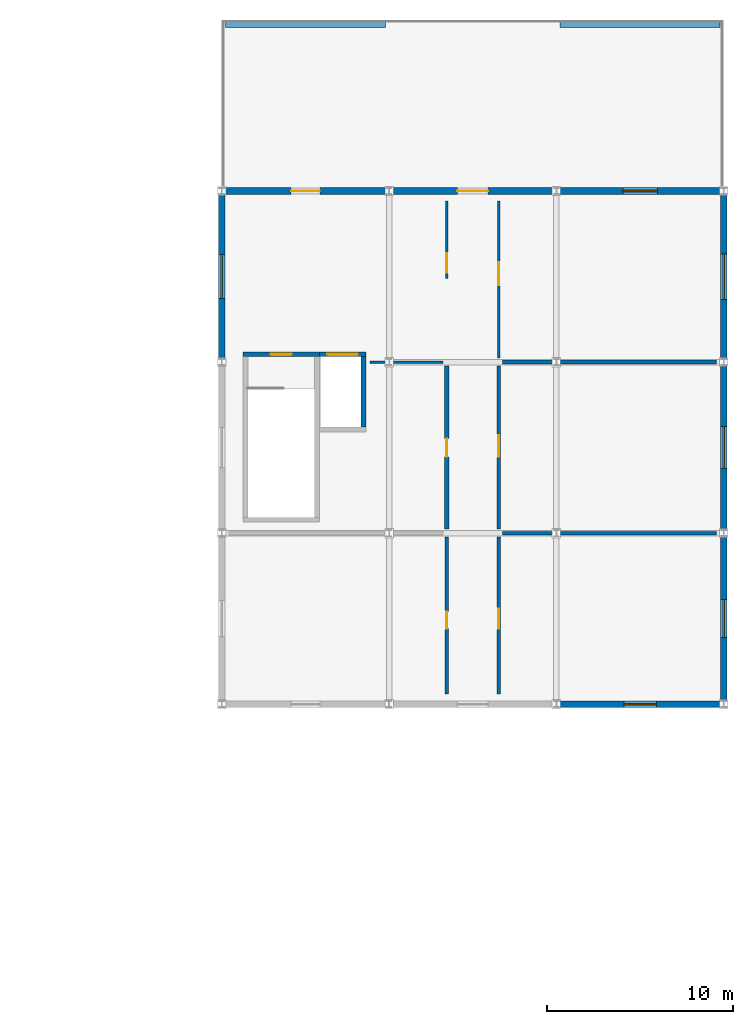
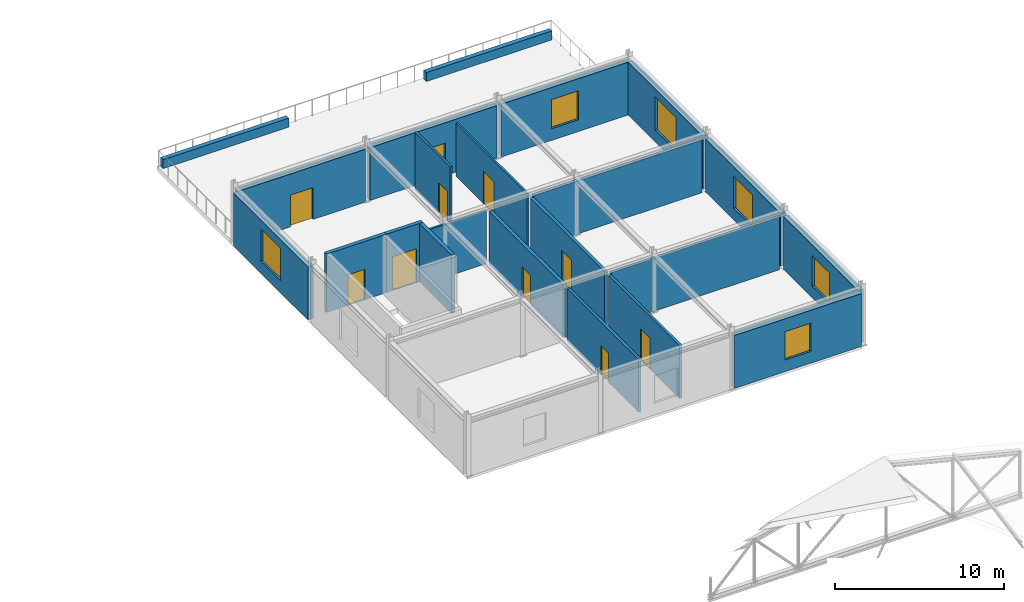
# One storey, part 30 of 33: 22 walls, 10 doors, 6 windows, 16 openings.
"""IFC4 building model written with IfcOpenShell, lengths in metres."""

from ifc_helpers import new_model, si_unit, direction, frame, frame_2d, origin, place, context, subcontext, project, spatial, rectangle, extrude, material, layer, layer_set, type_object, element, fill, save


model = new_model("IFC4")

# Units and contexts
model_context = context("Model", 3, precision=1e-05, world=origin(), true_north=direction((0.0, 1.0)))
body_context = subcontext(model_context, "Body", "Model", "MODEL_VIEW")
ifc_project = project(units=[si_unit("LENGTHUNIT", "METRE"), si_unit("AREAUNIT", "SQUARE_METRE"), si_unit("VOLUMEUNIT", "CUBIC_METRE"), si_unit("PLANEANGLEUNIT", "RADIAN"), si_unit("MASSUNIT", "GRAM", prefix="KILO")], contexts=[model_context])

# Site, building, storey
site_placement = place(None, origin())
site = spatial("IfcSite", under=ifc_project, at=site_placement, CompositionType="ELEMENT")
building_placement = place(site_placement, origin())
building = spatial("IfcBuilding", under=site, at=building_placement, Name="Bozkorgan Art Gallery", CompositionType="ELEMENT")
storey_placement = place(building_placement, frame((0.0, 0.0, 19.5)))
storey = spatial("IfcBuildingStorey", under=building, at=storey_placement, Name="L04", CompositionType="ELEMENT", Elevation=19.5)

# Wall, opening, door
ifc_material_1 = material(Name="Concrete C40/50", Category="concrete")
ifc_layer_1 = layer(ifc_material_1, 0.25, Name="Concrete C40/50")
ifc_layer_set_1 = layer_set([ifc_layer_1], Name="Concrete C40/50")
wall_type_1 = type_object("IfcWallType", Name="IWALL-CW-51", PredefinedType="SHEAR", material=ifc_layer_set_1)
wall_1_placement = place(storey_placement, frame((138.14990234375, 84.824951171875, 0.0), z_axis=(0.0, 0.0, 1.0), x_axis=(1.0, 0.0, 0.0)))
wall_1 = element("IfcWall", 1, at=wall_1_placement, inside=storey, type_object=wall_type_1, Name="CORE3 L04 stair core north shear wall", PredefinedType="SHEAR", context=body_context, shape_type="SweptSolid", body=[
    extrude(rectangle(XDim=4.10009765625, YDim=0.25, at=frame_2d((2.050048828125, 0.0))), origin(), (0.0, 0.0, 1.0), 4.219970703125),
])
opening_1_placement = place(wall_1_placement, frame((2.625, 0.0, 0.0), z_axis=(0.0, 0.0, 1.0), x_axis=(-1.0, 0.0, 0.0)))
opening_1 = element("IfcOpeningElement", 2, at=opening_1_placement, cuts=wall_1, Name="Opening SD-41", PredefinedType="OPENING", context=body_context, shape_type="SweptSolid", body=[
    extrude(rectangle(XDim=1.14990234375, YDim=2.199951171875, at=frame_2d((0.574951171875, 1.10009765625))), frame((0.0, 0.135009765625, 0.0), z_axis=(0.0, -1.0, 0.0), x_axis=(1.0, 0.0, 0.0)), (0.0, 0.0, 1.0), 0.27001953125),
])
ifc_material_2 = material(Name="Steel S355J2", Category="steel")
door_type_1 = type_object("IfcDoorType", Name="IDOOR-SD-41", OperationType="NOTDEFINED", PredefinedType="DOOR", material=ifc_material_2)
door_1_placement = place(opening_1_placement, origin())
door_1 = element("IfcDoor", 3, at=door_1_placement, inside=storey, type_object=door_type_1, Name="ST3 L04 Fire Stair Door", OperationType="SINGLE_SWING_RIGHT", OverallHeight=2.199951171875, OverallWidth=1.14990234375, PredefinedType="DOOR", context=body_context, shape_type="SweptSolid", body=[
    extrude(rectangle(XDim=1.14990234375, YDim=2.199951171875, at=frame_2d((0.574951171875, 1.10009765625))), frame((0.0, 0.02490234375, 0.0), z_axis=(0.0, -1.0, 0.0), x_axis=(1.0, 0.0, 0.0)), (0.0, 0.0, 1.0), 0.050048828125),
])
fill(opening_1, door_1)

wall_2_placement = place(storey_placement, frame((142.25, 84.824951171875, 0.0), z_axis=(0.0, 0.0, 1.0), x_axis=(1.0, 0.0, 0.0)))
wall_2 = element("IfcWall", 4, at=wall_2_placement, inside=storey, type_object=wall_type_1, Name="GL1 L04 shaft front shear wall", PredefinedType="SHEAR", context=body_context, shape_type="SweptSolid", body=[
    extrude(rectangle(XDim=2.5, YDim=0.25, at=frame_2d((1.25, 0.0))), origin(), (0.0, 0.0, 1.0), 4.219970703125),
])
opening_2_placement = place(wall_2_placement, frame((0.425048828125, 0.0, 0.0)))
opening_2 = element("IfcOpeningElement", 5, at=opening_2_placement, cuts=wall_2, Name="Opening LD-87", PredefinedType="OPENING", context=body_context, shape_type="SweptSolid", body=[
    extrude(rectangle(XDim=1.64990234375, YDim=2.449951171875, at=frame_2d((0.824951171875, 1.22509765625))), frame((0.0, 0.135009765625, 0.0), z_axis=(0.0, -1.0, 0.0), x_axis=(1.0, 0.0, 0.0)), (0.0, 0.0, 1.0), 0.27001953125),
])
door_type_2 = type_object("IfcDoorType", Name="IDOOR-LD-87", OperationType="NOTDEFINED", PredefinedType="DOOR", material=ifc_material_2)
door_2_placement = place(opening_2_placement, origin())
door_2 = element("IfcDoor", 6, at=door_2_placement, inside=storey, type_object=door_type_2, Name="LD-GL1-L04 Lift Landing Door", OperationType="SLIDING_TO_LEFT", OverallHeight=2.449951171875, OverallWidth=1.64990234375, PredefinedType="DOOR", context=body_context, shape_type="SweptSolid", body=[
    extrude(rectangle(XDim=1.64990234375, YDim=2.449951171875, at=frame_2d((0.824951171875, 1.22509765625))), frame((0.0, 0.02490234375, 0.0), z_axis=(0.0, -1.0, 0.0), x_axis=(1.0, 0.0, 0.0)), (0.0, 0.0, 1.0), 0.050048828125),
])
fill(opening_2, door_2)

# Wall
wall_3_placement = place(storey_placement, frame((144.625, 80.89990234375, 0.0), z_axis=(0.0, 0.0, 1.0), x_axis=(0.0, 1.0, 0.0)))
element("IfcWall", 7, at=wall_3_placement, inside=storey, type_object=wall_type_1, Name="GL1 L04 shaft E shear wall", PredefinedType="SHEAR", context=body_context, shape_type="SweptSolid", body=[
    extrude(rectangle(XDim=3.800048828125, YDim=0.25, at=frame_2d((1.89990234375, 0.0))), origin(), (0.0, 0.0, 1.0), 4.219970703125),
])

# Wall, opening, door
ifc_material_3 = material(Name="Acoustic Gypsum & Mineral Wool Partition")
ifc_layer_2 = layer(ifc_material_3, 0.22998046875, Name="Acoustic Gypsum & Mineral Wool Partition")
ifc_layer_set_2 = layer_set([ifc_layer_2], Name="Acoustic Gypsum & Mineral Wool Partition")
wall_type_2 = type_object("IfcWallType", Name="IWALL-PR-08", PredefinedType="PARTITIONING", material=ifc_layer_set_2)
wall_4_placement = place(storey_placement, frame((149.10009765625, 75.419921875, 0.0), z_axis=(0.0, 0.0, 1.0), x_axis=(0.0, 1.0, 0.0)))
wall_4 = element("IfcWall", 8, at=wall_4_placement, inside=storey, type_object=wall_type_2, Name="V5 L04 acoustic partition wall 341", PredefinedType="PARTITIONING", context=body_context, shape_type="SweptSolid", body=[
    extrude(rectangle(XDim=8.760009765625, YDim=0.22998046875, at=frame_2d((4.3798828125, 0.0))), origin(), (0.0, 0.0, 1.0), 3.824951171875),
])
opening_3_placement = place(wall_4_placement, frame((4.85986328125, 0.0, 0.0), z_axis=(0.0, 0.0, 1.0), x_axis=(-1.0, 0.0, 0.0)))
opening_3 = element("IfcOpeningElement", 9, at=opening_3_placement, cuts=wall_4, Name="Opening FD-75", PredefinedType="OPENING", context=body_context, shape_type="SweptSolid", body=[
    extrude(rectangle(XDim=0.97998046875, YDim=2.179931640625, at=frame_2d((0.489990234375, 1.08984375))), frame((0.0, 0.125, 0.0), z_axis=(0.0, -1.0, 0.0), x_axis=(1.0, 0.0, 0.0)), (0.0, 0.0, 1.0), 0.25),
])
ifc_material_4 = material(Name="Oiled European Oak Joinery")
door_type_3 = type_object("IfcDoorType", Name="IDOOR-FD-75", OperationType="NOTDEFINED", PredefinedType="DOOR", material=ifc_material_4)
door_3_placement = place(opening_3_placement, origin())
door_3 = element("IfcDoor", 10, at=door_3_placement, inside=storey, type_object=door_type_3, Name="Stone Metal Restoration Lab Door", OperationType="SINGLE_SWING_RIGHT", OverallHeight=2.179931640625, OverallWidth=0.97998046875, PredefinedType="DOOR", context=body_context, shape_type="SweptSolid", body=[
    extrude(rectangle(XDim=0.97998046875, YDim=2.179931640625, at=frame_2d((0.489990234375, 1.08984375))), frame((0.0, 0.02490234375, 0.0), z_axis=(0.0, -1.0, 0.0), x_axis=(1.0, 0.0, 0.0)), (0.0, 0.0, 1.0), 0.050048828125),
])
fill(opening_3, door_3)

ifc_layer_3 = layer(ifc_material_3, 0.2099609375, Name="Acoustic Gypsum & Mineral Wool Partition")
ifc_layer_set_3 = layer_set([ifc_layer_3], Name="Acoustic Gypsum & Mineral Wool Partition")
wall_type_3 = type_object("IfcWallType", Name="IWALL-PR-38", PredefinedType="PARTITIONING", material=ifc_layer_set_3)
wall_5_placement = place(storey_placement, frame((151.89990234375, 75.419921875, 0.0), z_axis=(0.0, 0.0, 1.0), x_axis=(0.0, 1.0, 0.0)))
wall_5 = element("IfcWall", 11, at=wall_5_placement, inside=storey, type_object=wall_type_3, Name="V5 L04 acoustic partition wall 346", PredefinedType="PARTITIONING", context=body_context, shape_type="SweptSolid", body=[
    extrude(rectangle(XDim=8.760009765625, YDim=0.2099609375, at=frame_2d((4.3798828125, 0.0))), origin(), (0.0, 0.0, 1.0), 3.824951171875),
])
opening_4_placement = place(wall_5_placement, frame((3.8798828125, 0.0, 0.0)))
opening_4 = element("IfcOpeningElement", 12, at=opening_4_placement, cuts=wall_5, Name="Opening FD-03", PredefinedType="OPENING", context=body_context, shape_type="SweptSolid", body=[
    extrude(rectangle(XDim=1.159912109375, YDim=2.280029296875, at=frame_2d((0.580078125, 1.14013671875))), frame((0.0, 0.114990234375, 0.0), z_axis=(0.0, -1.0, 0.0), x_axis=(1.0, 0.0, 0.0)), (0.0, 0.0, 1.0), 0.22998046875),
])
door_type_4 = type_object("IfcDoorType", Name="IDOOR-FD-03", OperationType="NOTDEFINED", PredefinedType="DOOR", material=ifc_material_4)
door_4_placement = place(opening_4_placement, origin())
door_4 = element("IfcDoor", 13, at=door_4_placement, inside=storey, type_object=door_type_4, Name="Collection Archive Room Door", OperationType="SINGLE_SWING_LEFT", OverallHeight=2.280029296875, OverallWidth=1.159912109375, PredefinedType="DOOR", context=body_context, shape_type="SweptSolid", body=[
    extrude(rectangle(XDim=1.159912109375, YDim=2.280029296875, at=frame_2d((0.580078125, 1.14013671875))), frame((0.0, 0.02490234375, 0.0), z_axis=(0.0, -1.0, 0.0), x_axis=(1.0, 0.0, 0.0)), (0.0, 0.0, 1.0), 0.050048828125),
])
fill(opening_4, door_4)

ifc_layer_4 = layer(ifc_material_3, 0.169921875, Name="Acoustic Gypsum & Mineral Wool Partition")
ifc_layer_set_4 = layer_set([ifc_layer_4], Name="Acoustic Gypsum & Mineral Wool Partition")
wall_type_4 = type_object("IfcWallType", Name="IWALL-PR-40", PredefinedType="PARTITIONING", material=ifc_layer_set_4)
wall_6_placement = place(storey_placement, frame((151.89990234375, 66.5400390625, 0.0), z_axis=(0.0, 0.0, 1.0), x_axis=(0.0, 1.0, 0.0)))
wall_6 = element("IfcWall", 14, at=wall_6_placement, inside=storey, type_object=wall_type_4, Name="V5 L04 acoustic partition wall 344", PredefinedType="PARTITIONING", context=body_context, shape_type="SweptSolid", body=[
    extrude(rectangle(XDim=8.43994140625, YDim=0.169921875, at=frame_2d((4.219970703125, 0.0))), origin(), (0.0, 0.0, 1.0), 3.824951171875),
])
opening_5_placement = place(wall_6_placement, frame((3.518798828125, 0.0, 0.0)))
opening_5 = element("IfcOpeningElement", 15, at=opening_5_placement, cuts=wall_6, Name="Opening FD-44", PredefinedType="OPENING", context=body_context, shape_type="SweptSolid", body=[
    extrude(rectangle(XDim=1.080078125, YDim=2.239990234375, at=frame_2d((0.5400390625, 1.1201171875))), frame((0.0, 0.094970703125, 0.0), z_axis=(0.0, -1.0, 0.0), x_axis=(1.0, 0.0, 0.0)), (0.0, 0.0, 1.0), 0.18994140625),
])
door_type_5 = type_object("IfcDoorType", Name="IDOOR-FD-44", OperationType="NOTDEFINED", PredefinedType="DOOR", material=ifc_material_4)
door_5_placement = place(opening_5_placement, origin())
door_5 = element("IfcDoor", 16, at=door_5_placement, inside=storey, type_object=door_type_5, Name="Museum AHU Plantroom Door", OperationType="SINGLE_SWING_RIGHT", OverallHeight=2.239990234375, OverallWidth=1.080078125, PredefinedType="DOOR", context=body_context, shape_type="SweptSolid", body=[
    extrude(rectangle(XDim=1.080078125, YDim=2.239990234375, at=frame_2d((0.5400390625, 1.1201171875))), frame((0.0, 0.02490234375, 0.0), z_axis=(0.0, -1.0, 0.0), x_axis=(1.0, 0.0, 0.0)), (0.0, 0.0, 1.0), 0.050048828125),
])
fill(opening_5, door_5)

ifc_layer_5 = layer(ifc_material_3, 0.14990234375, Name="Acoustic Gypsum & Mineral Wool Partition")
ifc_layer_set_5 = layer_set([ifc_layer_5], Name="Acoustic Gypsum & Mineral Wool Partition")
wall_type_5 = type_object("IfcWallType", Name="IWALL-PR-55", PredefinedType="PARTITIONING", material=ifc_layer_set_5)
wall_7_placement = place(storey_placement, frame((149.10009765625, 88.89990234375, 0.0), z_axis=(0.0, 0.0, 1.0), x_axis=(0.0, 1.0, 0.0)))
wall_7 = element("IfcWall", 17, at=wall_7_placement, inside=storey, type_object=wall_type_5, Name="V5 L04 acoustic partition wall 343", PredefinedType="PARTITIONING", context=body_context, shape_type="SweptSolid", body=[
    extrude(rectangle(XDim=4.16015625, YDim=0.14990234375, at=frame_2d((2.080078125, 0.0))), origin(), (0.0, 0.0, 1.0), 4.179931640625),
])
opening_6_placement = place(wall_7_placement, frame((1.340087890625, 0.0, 0.0), z_axis=(0.0, 0.0, 1.0), x_axis=(-1.0, 0.0, 0.0)))
opening_6 = element("IfcOpeningElement", 18, at=opening_6_placement, cuts=wall_7, Name="Opening FD-96", PredefinedType="OPENING", context=body_context, shape_type="SweptSolid", body=[
    extrude(rectangle(XDim=1.0400390625, YDim=2.219970703125, at=frame_2d((0.52001953125, 1.10986328125))), frame((0.0, 0.0849609375, 0.0), z_axis=(0.0, -1.0, 0.0), x_axis=(1.0, 0.0, 0.0)), (0.0, 0.0, 1.0), 0.169921875),
])
door_type_6 = type_object("IfcDoorType", Name="IDOOR-FD-96", OperationType="NOTDEFINED", PredefinedType="DOOR", material=ifc_material_4)
door_6_placement = place(opening_6_placement, origin())
door_6 = element("IfcDoor", 19, at=door_6_placement, inside=storey, type_object=door_type_6, Name="Mount Making Workshop Door", OperationType="SINGLE_SWING_LEFT", OverallHeight=2.219970703125, OverallWidth=1.0400390625, PredefinedType="DOOR", context=body_context, shape_type="SweptSolid", body=[
    extrude(rectangle(XDim=1.0400390625, YDim=2.219970703125, at=frame_2d((0.52001953125, 1.10986328125))), frame((0.0, 0.02490234375, 0.0), z_axis=(0.0, -1.0, 0.0), x_axis=(1.0, 0.0, 0.0)), (0.0, 0.0, 1.0), 0.050048828125),
])
fill(opening_6, door_6)

ifc_layer_6 = layer(ifc_material_3, 0.18994140625, Name="Acoustic Gypsum & Mineral Wool Partition")
ifc_layer_set_6 = layer_set([ifc_layer_6], Name="Acoustic Gypsum & Mineral Wool Partition")
wall_type_6 = type_object("IfcWallType", Name="IWALL-PR-66", PredefinedType="PARTITIONING", material=ifc_layer_set_6)
wall_8_placement = place(storey_placement, frame((149.10009765625, 66.5400390625, 0.0), z_axis=(0.0, 0.0, 1.0), x_axis=(0.0, 1.0, 0.0)))
wall_8 = element("IfcWall", 20, at=wall_8_placement, inside=storey, type_object=wall_type_6, Name="V5 L04 acoustic partition wall 339", PredefinedType="PARTITIONING", context=body_context, shape_type="SweptSolid", body=[
    extrude(rectangle(XDim=8.43994140625, YDim=0.18994140625, at=frame_2d((4.219970703125, 0.0))), origin(), (0.0, 0.0, 1.0), 3.824951171875),
])
opening_7_placement = place(wall_8_placement, frame((4.438720703125, 0.0, 0.0), z_axis=(0.0, 0.0, 1.0), x_axis=(-1.0, 0.0, 0.0)))
opening_7 = element("IfcOpeningElement", 21, at=opening_7_placement, cuts=wall_8, Name="Opening FD-12", PredefinedType="OPENING", context=body_context, shape_type="SweptSolid", body=[
    extrude(rectangle(XDim=0.919921875, YDim=2.1201171875, at=frame_2d((0.4599609375, 1.06005859375))), frame((0.0, 0.10498046875, 0.0), z_axis=(0.0, -1.0, 0.0), x_axis=(1.0, 0.0, 0.0)), (0.0, 0.0, 1.0), 0.2099609375),
])
door_type_7 = type_object("IfcDoorType", Name="IDOOR-FD-12", OperationType="NOTDEFINED", PredefinedType="DOOR", material=ifc_material_4)
door_7_placement = place(opening_7_placement, origin())
door_7 = element("IfcDoor", 22, at=door_7_placement, inside=storey, type_object=door_type_7, Name="Textile Conservation Studio Door", OperationType="SINGLE_SWING_LEFT", OverallHeight=2.1201171875, OverallWidth=0.919921875, PredefinedType="DOOR", context=body_context, shape_type="SweptSolid", body=[
    extrude(rectangle(XDim=0.919921875, YDim=2.1201171875, at=frame_2d((0.4599609375, 1.06005859375))), frame((0.0, 0.02490234375, 0.0), z_axis=(0.0, -1.0, 0.0), x_axis=(1.0, 0.0, 0.0)), (0.0, 0.0, 1.0), 0.050048828125),
])
fill(opening_7, door_7)

ifc_layer_7 = layer(ifc_material_3, 0.1298828125, Name="Acoustic Gypsum & Mineral Wool Partition")
ifc_layer_set_7 = layer_set([ifc_layer_7], Name="Acoustic Gypsum & Mineral Wool Partition")
wall_type_7 = type_object("IfcWallType", Name="IWALL-PR-76", PredefinedType="PARTITIONING", material=ifc_layer_set_7)
wall_9_placement = place(storey_placement, frame((151.89990234375, 84.6201171875, 0.0), z_axis=(0.0, 0.0, 1.0), x_axis=(0.0, 1.0, 0.0)))
wall_9 = element("IfcWall", 23, at=wall_9_placement, inside=storey, type_object=wall_type_7, Name="V5 L04 acoustic partition wall 348", PredefinedType="PARTITIONING", context=body_context, shape_type="SweptSolid", body=[
    extrude(rectangle(XDim=8.43994140625, YDim=0.1298828125, at=frame_2d((4.219970703125, 0.0))), origin(), (0.0, 0.0, 1.0), 3.824951171875),
])
opening_8_placement = place(wall_9_placement, frame((3.921142578125, 0.0, 0.0)))
opening_8 = element("IfcOpeningElement", 24, at=opening_8_placement, cuts=wall_9, Name="Opening FD-40", PredefinedType="OPENING", context=body_context, shape_type="SweptSolid", body=[
    extrude(rectangle(XDim=1.239990234375, YDim=2.320068359375, at=frame_2d((0.6201171875, 1.16015625))), frame((0.0, 0.074951171875, 0.0), z_axis=(0.0, -1.0, 0.0), x_axis=(1.0, 0.0, 0.0)), (0.0, 0.0, 1.0), 0.14990234375),
])
door_type_8 = type_object("IfcDoorType", Name="IDOOR-FD-40", OperationType="NOTDEFINED", PredefinedType="DOOR", material=ifc_material_4)
door_8_placement = place(opening_8_placement, origin())
door_8 = element("IfcDoor", 25, at=door_8_placement, inside=storey, type_object=door_type_8, Name="Textile Conservation Studio Door", OperationType="SINGLE_SWING_RIGHT", OverallHeight=2.320068359375, OverallWidth=1.239990234375, PredefinedType="DOOR", context=body_context, shape_type="SweptSolid", body=[
    extrude(rectangle(XDim=1.239990234375, YDim=2.320068359375, at=frame_2d((0.6201171875, 1.16015625))), frame((0.0, 0.02490234375, 0.0), z_axis=(0.0, -1.0, 0.0), x_axis=(1.0, 0.0, 0.0)), (0.0, 0.0, 1.0), 0.050048828125),
])
fill(opening_8, door_8)

# Walls
ifc_layer_8 = layer(ifc_material_3, 0.18994140625, Name="Acoustic Gypsum & Mineral Wool Partition")
ifc_layer_set_8 = layer_set([ifc_layer_8], Name="Acoustic Gypsum & Mineral Wool Partition")
wall_type_8 = type_object("IfcWallType", Name="IWALL-PW-23", PredefinedType="PARTITIONING", material=ifc_layer_set_8)
wall_10_placement = place(storey_placement, frame((152.10009765625, 75.199951171875, 0.0), z_axis=(0.0, 0.0, 1.0), x_axis=(1.0, 0.0, 0.0)))
element("IfcWall", 26, at=wall_10_placement, inside=storey, type_object=wall_type_8, Name="V5 L04 acoustic partition wall 345", PredefinedType="PARTITIONING", context=body_context, shape_type="SweptSolid", body=[
    extrude(rectangle(XDim=11.5, YDim=0.18994140625, at=frame_2d((5.75, 0.0))), origin(), (0.0, 0.0, 1.0), 3.824951171875),
])
ifc_layer_9 = layer(ifc_material_3, 0.22998046875, Name="Acoustic Gypsum & Mineral Wool Partition")
ifc_layer_set_9 = layer_set([ifc_layer_9], Name="Acoustic Gypsum & Mineral Wool Partition")
wall_type_9 = type_object("IfcWallType", Name="IWALL-PW-96", PredefinedType="PARTITIONING", material=ifc_layer_set_9)
wall_11_placement = place(storey_placement, frame((152.10009765625, 84.39990234375, 0.0), z_axis=(0.0, 0.0, 1.0), x_axis=(1.0, 0.0, 0.0)))
element("IfcWall", 27, at=wall_11_placement, inside=storey, type_object=wall_type_9, Name="V5 L04 acoustic partition wall 347", PredefinedType="PARTITIONING", context=body_context, shape_type="SweptSolid", body=[
    extrude(rectangle(XDim=11.5, YDim=0.22998046875, at=frame_2d((5.75, 0.0))), origin(), (0.0, 0.0, 1.0), 3.824951171875),
])
ifc_layer_10 = layer(ifc_material_3, 0.1298828125, Name="Acoustic Gypsum & Mineral Wool Partition")
ifc_layer_set_10 = layer_set([ifc_layer_10], Name="Acoustic Gypsum & Mineral Wool Partition")
wall_type_10 = type_object("IfcWallType", Name="IWALL-PW-97", PredefinedType="PARTITIONING", material=ifc_layer_set_10)
wall_12_placement = place(storey_placement, frame((144.9599609375, 84.39990234375, 0.0), z_axis=(0.0, 0.0, 1.0), x_axis=(1.0, 0.0, 0.0)))
element("IfcWall", 28, at=wall_12_placement, inside=storey, type_object=wall_type_10, Name="V5 L04 acoustic partition wall 342", PredefinedType="PARTITIONING", context=body_context, shape_type="SweptSolid", body=[
    extrude(rectangle(XDim=3.93994140625, YDim=0.1298828125, at=frame_2d((1.969970703125, 0.0))), origin(), (0.0, 0.0, 1.0), 3.824951171875),
])
ifc_material_5 = material(Name="Pressed Terracotta Brick Masonry", Category="masonry")
ifc_layer_11 = layer(ifc_material_5, 0.31005859375, Name="Pressed Terracotta Brick Masonry")
ifc_layer_set_11 = layer_set([ifc_layer_11], Name="Pressed Terracotta Brick Masonry")
wall_type_11 = type_object("IfcWallType", Name="WALL-PR-47", PredefinedType="PARAPET", material=ifc_layer_set_11)
for number, where, z_axis, x_axis, name in (
    (29, (137.199951171875, 102.550048828125, 0.0), (0.0, 0.0, 1.0), (1.0, 0.0, 0.0), "L04 coped stone parapet 3"),
    (30, (155.199951171875, 102.550048828125, 0.0), (0.0, 0.0, 1.0), (1.0, 0.0, 0.0), "L04 coped stone parapet 4"),
):
    element("IfcWall", number, at=place(storey_placement, frame(where, z_axis=z_axis, x_axis=x_axis)), inside=storey, type_object=wall_type_11, Name=name, PredefinedType="PARAPET", context=body_context, shape_type="SweptSolid", body=[
        extrude(rectangle(XDim=8.60009765625, YDim=0.31005859375, at=frame_2d((4.300048828125, 0.0))), origin(), (0.0, 0.0, 1.0), 0.64990234375),
    ])

# Wall, opening, door
ifc_layer_12 = layer(ifc_material_5, 0.360107421875, Name="Pressed Terracotta Brick Masonry")
ifc_layer_set_12 = layer_set([ifc_layer_12], Name="Pressed Terracotta Brick Masonry")
wall_type_12 = type_object("IfcWallType", Name="WALL-WB-99", PredefinedType="STANDARD", material=ifc_layer_set_12)
wall_13_placement = place(storey_placement, frame((137.14990234375, 93.60009765625, 0.0), z_axis=(0.0, 0.0, 1.0), x_axis=(1.0, 0.0, 0.0)))
wall_13 = element("IfcWall", 31, at=wall_13_placement, inside=storey, type_object=wall_type_12, Name="V5 L04 terrace access wall (TD04)", PredefinedType="STANDARD", context=body_context, shape_type="SweptSolid", body=[
    extrude(rectangle(XDim=8.7001953125, YDim=0.360107421875, at=frame_2d((4.35009765625, 0.0))), origin(), (0.0, 0.0, 1.0), 3.824951171875),
])
opening_9_placement = place(wall_13_placement, frame((3.574951171875, 0.0, 0.0)))
opening_9 = element("IfcOpeningElement", 32, at=opening_9_placement, cuts=wall_13, Name="Opening TD-11", PredefinedType="OPENING", context=body_context, shape_type="SweptSolid", body=[
    extrude(rectangle(XDim=1.550048828125, YDim=2.300048828125, at=frame_2d((0.77490234375, 1.14990234375))), frame((0.0, 0.18994140625, 0.0), z_axis=(0.0, -1.0, 0.0), x_axis=(1.0, 0.0, 0.0)), (0.0, 0.0, 1.0), 0.380126953125),
])
ifc_material_6 = material(Name="Anodised Bronze Aluminium", Category="aluminium")
door_type_9 = type_object("IfcDoorType", Name="DOOR-TD-11", OperationType="NOTDEFINED", PredefinedType="DOOR", material=ifc_material_6)
door_9_placement = place(opening_9_placement, origin())
door_9 = element("IfcDoor", 33, at=door_9_placement, inside=storey, type_object=door_type_9, Name="TD04 Sculpture Terrace Access Door", OperationType="DOUBLE_DOOR_SINGLE_SWING", OverallHeight=2.300048828125, OverallWidth=1.550048828125, PredefinedType="DOOR", context=body_context, shape_type="SweptSolid", body=[
    extrude(rectangle(XDim=1.550048828125, YDim=2.300048828125, at=frame_2d((0.77490234375, 1.14990234375))), frame((0.0, 0.02490234375, 0.0), z_axis=(0.0, -1.0, 0.0), x_axis=(1.0, 0.0, 0.0)), (0.0, 0.0, 1.0), 0.050048828125),
])
fill(opening_9, door_9)

wall_14_placement = place(storey_placement, frame((146.14990234375, 93.60009765625, 0.0), z_axis=(0.0, 0.0, 1.0), x_axis=(1.0, 0.0, 0.0)))
wall_14 = element("IfcWall", 34, at=wall_14_placement, inside=storey, type_object=wall_type_12, Name="V5 L04 terrace access wall (TD03)", PredefinedType="STANDARD", context=body_context, shape_type="SweptSolid", body=[
    extrude(rectangle(XDim=8.7001953125, YDim=0.360107421875, at=frame_2d((4.35009765625, 0.0))), origin(), (0.0, 0.0, 1.0), 3.824951171875),
])
opening_10_placement = place(wall_14_placement, frame((3.52490234375, 0.0, 0.0)))
opening_10 = element("IfcOpeningElement", 35, at=opening_10_placement, cuts=wall_14, Name="Opening TD-58", PredefinedType="OPENING", context=body_context, shape_type="SweptSolid", body=[
    extrude(rectangle(XDim=1.64990234375, YDim=2.35009765625, at=frame_2d((0.824951171875, 1.175048828125))), frame((0.0, 0.18994140625, 0.0), z_axis=(0.0, -1.0, 0.0), x_axis=(1.0, 0.0, 0.0)), (0.0, 0.0, 1.0), 0.380126953125),
])
door_type_10 = type_object("IfcDoorType", Name="DOOR-TD-58", OperationType="NOTDEFINED", PredefinedType="DOOR", material=ifc_material_6)
door_10_placement = place(opening_10_placement, origin())
door_10 = element("IfcDoor", 36, at=door_10_placement, inside=storey, type_object=door_type_10, Name="TD03 Sculpture Terrace Access Door", OperationType="DOUBLE_DOOR_SINGLE_SWING", OverallHeight=2.35009765625, OverallWidth=1.64990234375, PredefinedType="DOOR", context=body_context, shape_type="SweptSolid", body=[
    extrude(rectangle(XDim=1.64990234375, YDim=2.35009765625, at=frame_2d((0.824951171875, 1.175048828125))), frame((0.0, 0.02490234375, 0.0), z_axis=(0.0, -1.0, 0.0), x_axis=(1.0, 0.0, 0.0)), (0.0, 0.0, 1.0), 0.050048828125),
])
fill(opening_10, door_10)

# Wall, opening, window
wall_15_placement = place(storey_placement, frame((155.14990234375, 66.0, 0.0), z_axis=(0.0, 0.0, 1.0), x_axis=(1.0, 0.0, 0.0)))
wall_15 = element("IfcWall", 37, at=wall_15_placement, inside=storey, type_object=wall_type_12, Name="V5 L04 exterior facade wall 1S-5", PredefinedType="STANDARD", context=body_context, shape_type="SweptSolid", body=[
    extrude(rectangle(XDim=8.7001953125, YDim=0.360107421875, at=frame_2d((4.35009765625, 0.0))), origin(), (0.0, 0.0, 1.0), 3.824951171875),
])
opening_11_placement = place(wall_15_placement, frame((5.22509765625, 0.0, 0.85009765625), z_axis=(0.0, 0.0, 1.0), x_axis=(-1.0, 0.0, 0.0)))
opening_11 = element("IfcOpeningElement", 38, at=opening_11_placement, cuts=wall_15, Name="Opening WN-98", PredefinedType="OPENING", context=body_context, shape_type="SweptSolid", body=[
    extrude(rectangle(XDim=1.75, YDim=2.050048828125, at=frame_2d((0.875, 1.02490234375))), frame((0.0, 0.18994140625, 0.0), z_axis=(0.0, -1.0, 0.0), x_axis=(1.0, 0.0, 0.0)), (0.0, 0.0, 1.0), 0.380126953125),
])
ifc_material_7 = material(Name="Triple Low-E Laminated Glass", Category="glass")
window_type_1 = type_object("IfcWindowType", Name="WIN-WN-98", PartitioningType="SINGLE_PANEL", PredefinedType="WINDOW", material=ifc_material_7)
window_1_placement = place(opening_11_placement, origin())
window_1 = element("IfcWindow", 39, at=window_1_placement, inside=storey, type_object=window_type_1, Name="V5 L04 gallery window 1S-5", OverallHeight=2.050048828125, OverallWidth=1.75, PartitioningType="SINGLE_PANEL", PredefinedType="WINDOW", context=body_context, shape_type="SweptSolid", body=[
    extrude(rectangle(XDim=1.75, YDim=2.050048828125, at=frame_2d((0.875, 1.02490234375))), frame((0.0, 0.030029296875, 0.0), z_axis=(0.0, -1.0, 0.0), x_axis=(1.0, 0.0, 0.0)), (0.0, 0.0, 1.0), 0.06005859375),
])
fill(opening_11, window_1)

wall_16_placement = place(storey_placement, frame((155.14990234375, 93.60009765625, 0.0), z_axis=(0.0, 0.0, 1.0), x_axis=(1.0, 0.0, 0.0)))
wall_16 = element("IfcWall", 40, at=wall_16_placement, inside=storey, type_object=wall_type_12, Name="V5 L04 exterior facade wall 1N-6", PredefinedType="STANDARD", context=body_context, shape_type="SweptSolid", body=[
    extrude(rectangle(XDim=8.7001953125, YDim=0.360107421875, at=frame_2d((4.35009765625, 0.0))), origin(), (0.0, 0.0, 1.0), 3.824951171875),
])
opening_12_placement = place(wall_16_placement, frame((3.425048828125, 0.0, 0.85009765625)))
opening_12 = element("IfcOpeningElement", 41, at=opening_12_placement, cuts=wall_16, Name="Opening WN-04", PredefinedType="OPENING", context=body_context, shape_type="SweptSolid", body=[
    extrude(rectangle(XDim=1.85009765625, YDim=2.10009765625, at=frame_2d((0.925048828125, 1.050048828125))), frame((0.0, 0.18994140625, 0.0), z_axis=(0.0, -1.0, 0.0), x_axis=(1.0, 0.0, 0.0)), (0.0, 0.0, 1.0), 0.380126953125),
])
window_type_2 = type_object("IfcWindowType", Name="WIN-WN-04", PartitioningType="SINGLE_PANEL", PredefinedType="WINDOW", material=ifc_material_7)
window_2_placement = place(opening_12_placement, origin())
window_2 = element("IfcWindow", 42, at=window_2_placement, inside=storey, type_object=window_type_2, Name="V5 L04 gallery window 1N-6", OverallHeight=2.10009765625, OverallWidth=1.85009765625, PartitioningType="SINGLE_PANEL", PredefinedType="WINDOW", context=body_context, shape_type="SweptSolid", body=[
    extrude(rectangle(XDim=1.85009765625, YDim=2.10009765625, at=frame_2d((0.925048828125, 1.050048828125))), frame((0.0, 0.030029296875, 0.0), z_axis=(0.0, -1.0, 0.0), x_axis=(1.0, 0.0, 0.0)), (0.0, 0.0, 1.0), 0.06005859375),
])
fill(opening_12, window_2)

wall_17_placement = place(storey_placement, frame((164.0, 66.169921875, 0.0), z_axis=(0.0, 0.0, 1.0), x_axis=(0.0, 1.0, 0.0)))
wall_17 = element("IfcWall", 43, at=wall_17_placement, inside=storey, type_object=wall_type_12, Name="V5 L04 exterior facade wall 1E-8", PredefinedType="STANDARD", context=body_context, shape_type="SweptSolid", body=[
    extrude(rectangle(XDim=8.860107421875, YDim=0.360107421875, at=frame_2d((4.43017578125, 0.0))), origin(), (0.0, 0.0, 1.0), 3.824951171875),
])
opening_13_placement = place(wall_17_placement, frame((5.455078125, 0.0, 0.85009765625), z_axis=(0.0, 0.0, 1.0), x_axis=(-1.0, 0.0, 0.0)))
opening_13 = element("IfcOpeningElement", 44, at=opening_13_placement, cuts=wall_17, Name="Opening WN-39", PredefinedType="OPENING", context=body_context, shape_type="SweptSolid", body=[
    extrude(rectangle(XDim=2.050048828125, YDim=2.199951171875, at=frame_2d((1.02490234375, 1.10009765625))), frame((0.0, 0.18994140625, 0.0), z_axis=(0.0, -1.0, 0.0), x_axis=(1.0, 0.0, 0.0)), (0.0, 0.0, 1.0), 0.380126953125),
])
window_type_3 = type_object("IfcWindowType", Name="WIN-WN-39", PartitioningType="SINGLE_PANEL", PredefinedType="WINDOW", material=ifc_material_7)
window_3_placement = place(opening_13_placement, origin())
window_3 = element("IfcWindow", 45, at=window_3_placement, inside=storey, type_object=window_type_3, Name="V5 L04 gallery window 1E-8", OverallHeight=2.199951171875, OverallWidth=2.050048828125, PartitioningType="SINGLE_PANEL", PredefinedType="WINDOW", context=body_context, shape_type="SweptSolid", body=[
    extrude(rectangle(XDim=2.050048828125, YDim=2.199951171875, at=frame_2d((1.02490234375, 1.10009765625))), frame((0.0, 0.030029296875, 0.0), z_axis=(0.0, -1.0, 0.0), x_axis=(1.0, 0.0, 0.0)), (0.0, 0.0, 1.0), 0.06005859375),
])
fill(opening_13, window_3)

wall_18_placement = place(storey_placement, frame((164.0, 75.3701171875, 0.0), z_axis=(0.0, 0.0, 1.0), x_axis=(0.0, 1.0, 0.0)))
wall_18 = element("IfcWall", 46, at=wall_18_placement, inside=storey, type_object=wall_type_12, Name="V5 L04 exterior facade wall 1E-10", PredefinedType="STANDARD", context=body_context, shape_type="SweptSolid", body=[
    extrude(rectangle(XDim=8.85986328125, YDim=0.360107421875, at=frame_2d((4.429931640625, 0.0))), origin(), (0.0, 0.0, 1.0), 3.824951171875),
])
opening_14_placement = place(wall_18_placement, frame((5.554931640625, 0.0, 0.85009765625), z_axis=(0.0, 0.0, 1.0), x_axis=(-1.0, 0.0, 0.0)))
opening_14 = element("IfcOpeningElement", 47, at=opening_14_placement, cuts=wall_18, Name="Opening WN-97", PredefinedType="OPENING", context=body_context, shape_type="SweptSolid", body=[
    extrude(rectangle(XDim=2.25, YDim=2.300048828125, at=frame_2d((1.125, 1.14990234375))), frame((0.0, 0.18994140625, 0.0), z_axis=(0.0, -1.0, 0.0), x_axis=(1.0, 0.0, 0.0)), (0.0, 0.0, 1.0), 0.380126953125),
])
window_type_4 = type_object("IfcWindowType", Name="WIN-WN-97", PartitioningType="SINGLE_PANEL", PredefinedType="WINDOW", material=ifc_material_7)
window_4_placement = place(opening_14_placement, origin())
window_4 = element("IfcWindow", 48, at=window_4_placement, inside=storey, type_object=window_type_4, Name="V5 L04 gallery window 1E-10", OverallHeight=2.300048828125, OverallWidth=2.25, PartitioningType="SINGLE_PANEL", PredefinedType="WINDOW", context=body_context, shape_type="SweptSolid", body=[
    extrude(rectangle(XDim=2.25, YDim=2.300048828125, at=frame_2d((1.125, 1.14990234375))), frame((0.0, 0.030029296875, 0.0), z_axis=(0.0, -1.0, 0.0), x_axis=(1.0, 0.0, 0.0)), (0.0, 0.0, 1.0), 0.06005859375),
])
fill(opening_14, window_4)

wall_19_placement = place(storey_placement, frame((137.0, 84.570068359375, 0.0), z_axis=(0.0, 0.0, 1.0), x_axis=(0.0, 1.0, 0.0)))
wall_19 = element("IfcWall", 49, at=wall_19_placement, inside=storey, type_object=wall_type_12, Name="V5 L04 exterior facade wall 1W-11", PredefinedType="STANDARD", context=body_context, shape_type="SweptSolid", body=[
    extrude(rectangle(XDim=8.85986328125, YDim=0.360107421875, at=frame_2d((4.429931640625, 0.0))), origin(), (0.0, 0.0, 1.0), 3.824951171875),
])
opening_15_placement = place(wall_19_placement, frame((3.2548828125, 0.0, 0.85009765625)))
opening_15 = element("IfcOpeningElement", 50, at=opening_15_placement, cuts=wall_19, Name="Opening WN-47", PredefinedType="OPENING", context=body_context, shape_type="SweptSolid", body=[
    extrude(rectangle(XDim=2.35009765625, YDim=2.35009765625, at=frame_2d((1.175048828125, 1.175048828125))), frame((0.0, 0.18994140625, 0.0), z_axis=(0.0, -1.0, 0.0), x_axis=(1.0, 0.0, 0.0)), (0.0, 0.0, 1.0), 0.380126953125),
])
window_type_5 = type_object("IfcWindowType", Name="WIN-WN-47", PartitioningType="SINGLE_PANEL", PredefinedType="WINDOW", material=ifc_material_7)
window_5_placement = place(opening_15_placement, origin())
window_5 = element("IfcWindow", 51, at=window_5_placement, inside=storey, type_object=window_type_5, Name="V5 L04 gallery window 1W-11", OverallHeight=2.35009765625, OverallWidth=2.35009765625, PartitioningType="SINGLE_PANEL", PredefinedType="WINDOW", context=body_context, shape_type="SweptSolid", body=[
    extrude(rectangle(XDim=2.35009765625, YDim=2.35009765625, at=frame_2d((1.175048828125, 1.175048828125))), frame((0.0, 0.030029296875, 0.0), z_axis=(0.0, -1.0, 0.0), x_axis=(1.0, 0.0, 0.0)), (0.0, 0.0, 1.0), 0.06005859375),
])
fill(opening_15, window_5)

wall_20_placement = place(storey_placement, frame((164.0, 84.570068359375, 0.0), z_axis=(0.0, 0.0, 1.0), x_axis=(0.0, 1.0, 0.0)))
wall_20 = element("IfcWall", 52, at=wall_20_placement, inside=storey, type_object=wall_type_12, Name="V5 L04 exterior facade wall 1E-12", PredefinedType="STANDARD", context=body_context, shape_type="SweptSolid", body=[
    extrude(rectangle(XDim=8.85986328125, YDim=0.360107421875, at=frame_2d((4.429931640625, 0.0))), origin(), (0.0, 0.0, 1.0), 3.824951171875),
])
opening_16_placement = place(wall_20_placement, frame((5.655029296875, 0.0, 0.85009765625), z_axis=(0.0, 0.0, 1.0), x_axis=(-1.0, 0.0, 0.0)))
opening_16 = element("IfcOpeningElement", 53, at=opening_16_placement, cuts=wall_20, Name="Opening WN-83", PredefinedType="OPENING", context=body_context, shape_type="SweptSolid", body=[
    extrude(rectangle(XDim=2.449951171875, YDim=2.39990234375, at=frame_2d((1.22509765625, 1.199951171875))), frame((0.0, 0.18994140625, 0.0), z_axis=(0.0, -1.0, 0.0), x_axis=(1.0, 0.0, 0.0)), (0.0, 0.0, 1.0), 0.380126953125),
])
window_type_6 = type_object("IfcWindowType", Name="WIN-WN-83", PartitioningType="SINGLE_PANEL", PredefinedType="WINDOW", material=ifc_material_7)
window_6_placement = place(opening_16_placement, origin())
window_6 = element("IfcWindow", 54, at=window_6_placement, inside=storey, type_object=window_type_6, Name="V5 L04 gallery window 1E-12", OverallHeight=2.39990234375, OverallWidth=2.449951171875, PartitioningType="SINGLE_PANEL", PredefinedType="WINDOW", context=body_context, shape_type="SweptSolid", body=[
    extrude(rectangle(XDim=2.449951171875, YDim=2.39990234375, at=frame_2d((1.22509765625, 1.199951171875))), frame((0.0, 0.030029296875, 0.0), z_axis=(0.0, -1.0, 0.0), x_axis=(1.0, 0.0, 0.0)), (0.0, 0.0, 1.0), 0.06005859375),
])
fill(opening_16, window_6)

save(model, "model.ifc")
